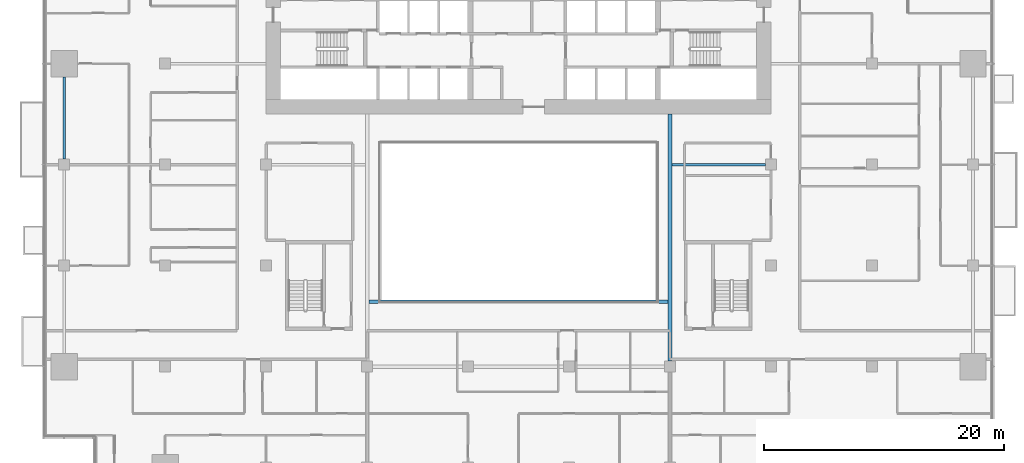
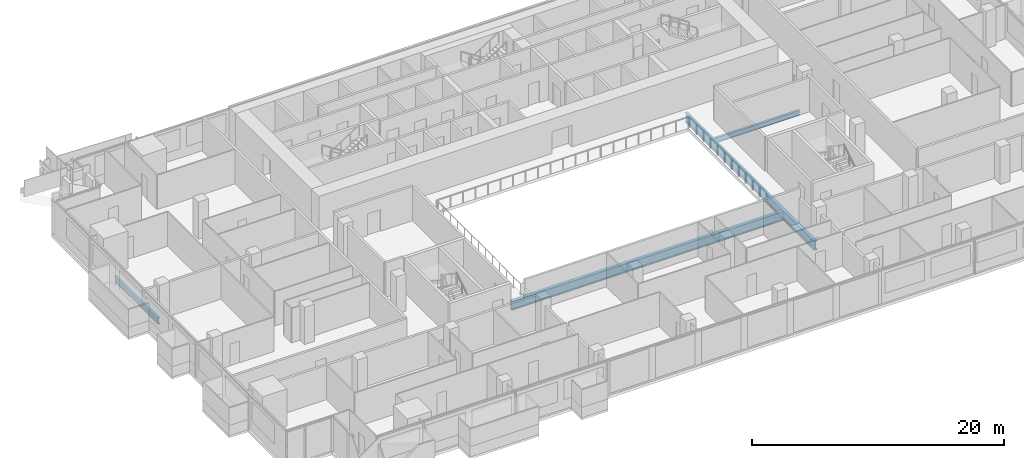
# One storey, part 7 of 29: 4 beams.
"""IFC4 building model written with IfcOpenShell, lengths in metres."""

from ifc_helpers import new_model, si_unit, direction, frame, origin, origin_2d, place, context, subcontext, project, spatial, i_section, extrude, material, material_profile, profile_set, type_object, element, save


model = new_model("IFC4")

# Units and contexts
model_context = context("Model", 3, precision=1e-05, world=origin(), true_north=direction((0.0, 1.0)))
body_context = subcontext(model_context, "Body", "Model", "MODEL_VIEW")
ifc_project = project(units=[si_unit("LENGTHUNIT", "METRE"), si_unit("AREAUNIT", "SQUARE_METRE"), si_unit("VOLUMEUNIT", "CUBIC_METRE"), si_unit("PLANEANGLEUNIT", "RADIAN"), si_unit("MASSUNIT", "GRAM", prefix="KILO")], contexts=[model_context])

# Site, building, storey
site_placement = place(None, origin())
site = spatial("IfcSite", under=ifc_project, at=site_placement, CompositionType="ELEMENT")
building_placement = place(site_placement, origin())
building = spatial("IfcBuilding", under=site, at=building_placement, Name="Saffron Gate Tower", CompositionType="ELEMENT")
storey_placement = place(building_placement, frame((0.0, 0.0, 48.0)))
storey = spatial("IfcBuildingStorey", under=building, at=storey_placement, Name="L10", CompositionType="ELEMENT", Elevation=48.0)

# Beams
ifc_material = material(Name="Structural steel S355", Category="steel")
ifc_material_profile_1 = material_profile(ifc_material, i_section(OverallWidth=0.199951171875, OverallDepth=0.5, WebThickness=0.01025390625, FlangeThickness=0.01611328125, FilletRadius=0.02099609375, at=origin_2d()))
ifc_profile_set_1 = profile_set([ifc_material_profile_1], Name="Structural steel S355")
beam_type_1 = type_object("IfcBeamType", Name="B10 IPE 500", PredefinedType="BEAM", material=ifc_profile_set_1)
beam_1_placement = place(storey_placement, frame((108.14990234375, 57.0, -0.530029296875), z_axis=(-1.0, 0.0, 0.0), x_axis=(0.0, -1.0, 0.0)))
element("IfcBeam", 1, at=beam_1_placement, inside=storey, type_object=beam_type_1, Name="B10 CORE TIE BEAM", PredefinedType="BEAM", context=body_context, shape_type="SweptSolid", body=[
    extrude(i_section(OverallWidth=0.199951171875, OverallDepth=0.5, WebThickness=0.01025390625, FlangeThickness=0.01611328125, FilletRadius=0.02099609375, at=origin_2d()), origin(), (0.0, 0.0, 1.0), 7.7998046875),
])
ifc_material_profile_2 = material_profile(ifc_material, i_section(OverallWidth=0.219970703125, OverallDepth=0.60009765625, WebThickness=0.011962890625, FlangeThickness=0.01904296875, FilletRadius=0.02392578125, at=origin_2d()))
ifc_profile_set_2 = profile_set([ifc_material_profile_2], Name="Structural steel S355")
beam_type_2 = type_object("IfcBeamType", Name="B16 IPE 600", PredefinedType="SPANDREL", material=ifc_profile_set_2)
beam_2_placement = place(storey_placement, frame((49.800048828125, 57.449951171875, -0.580078125), z_axis=(0.0, 1.0, 0.0), x_axis=(-1.0, 0.0, 0.0)))
element("IfcBeam", 2, at=beam_2_placement, inside=storey, type_object=beam_type_2, Name="B16 SPANDREL BEAM", PredefinedType="SPANDREL", context=body_context, shape_type="SweptSolid", body=[
    extrude(i_section(OverallWidth=0.219970703125, OverallDepth=0.60009765625, WebThickness=0.011962890625, FlangeThickness=0.01904296875, FilletRadius=0.02392578125, at=origin_2d()), origin(), (0.0, 0.0, 1.0), 6.85009765625),
])
ifc_material_profile_3 = material_profile(ifc_material, i_section(OverallWidth=0.300048828125, OverallDepth=0.889892578125, WebThickness=0.01611328125, FlangeThickness=0.030029296875, FilletRadius=0.030029296875, at=origin_2d()))
ifc_profile_set_3 = profile_set([ifc_material_profile_3], Name="Structural steel S355")
beam_type_3 = type_object("IfcBeamType", Name="B19 HEA 900", PredefinedType="BEAM", material=ifc_profile_set_3)
beam_3_placement = place(storey_placement, frame((100.199951171875, 40.64990234375, -0.72509765625), z_axis=(0.0, 1.0, 0.0), x_axis=(-1.0, 0.0, 0.0)))
element("IfcBeam", 3, at=beam_3_placement, inside=storey, type_object=beam_type_3, Name="B19 ATRIUM GIRDER", PredefinedType="BEAM", context=body_context, shape_type="SweptSolid", body=[
    extrude(i_section(OverallWidth=0.300048828125, OverallDepth=0.889892578125, WebThickness=0.01611328125, FlangeThickness=0.030029296875, FilletRadius=0.030029296875, at=origin_2d()), origin(), (0.0, 0.0, 1.0), 20.550048828125),
])
beam_4_placement = place(storey_placement, frame((75.14990234375, 45.60009765625, -0.72509765625), z_axis=(1.0, 0.0, 0.0), x_axis=(0.0, 1.0, 0.0)))
element("IfcBeam", 4, at=beam_4_placement, inside=storey, type_object=beam_type_3, Name="B19 ATRIUM GIRDER", PredefinedType="BEAM", context=body_context, shape_type="SweptSolid", body=[
    extrude(i_section(OverallWidth=0.300048828125, OverallDepth=0.889892578125, WebThickness=0.01611328125, FlangeThickness=0.030029296875, FilletRadius=0.030029296875, at=origin_2d()), origin(), (0.0, 0.0, 1.0), 24.900146484375),
])

save(model, "model.ifc")
